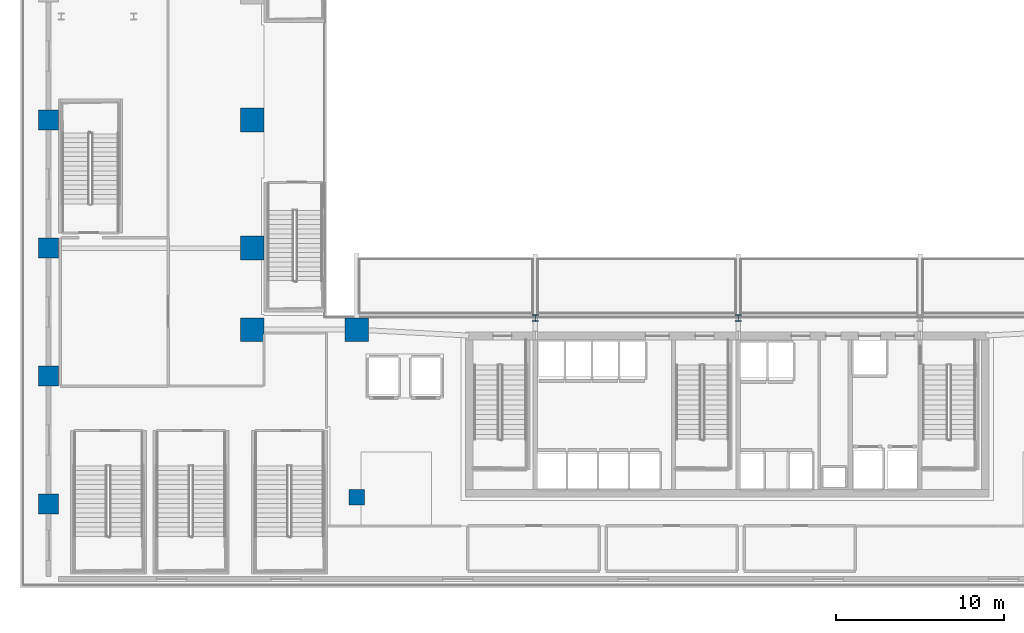
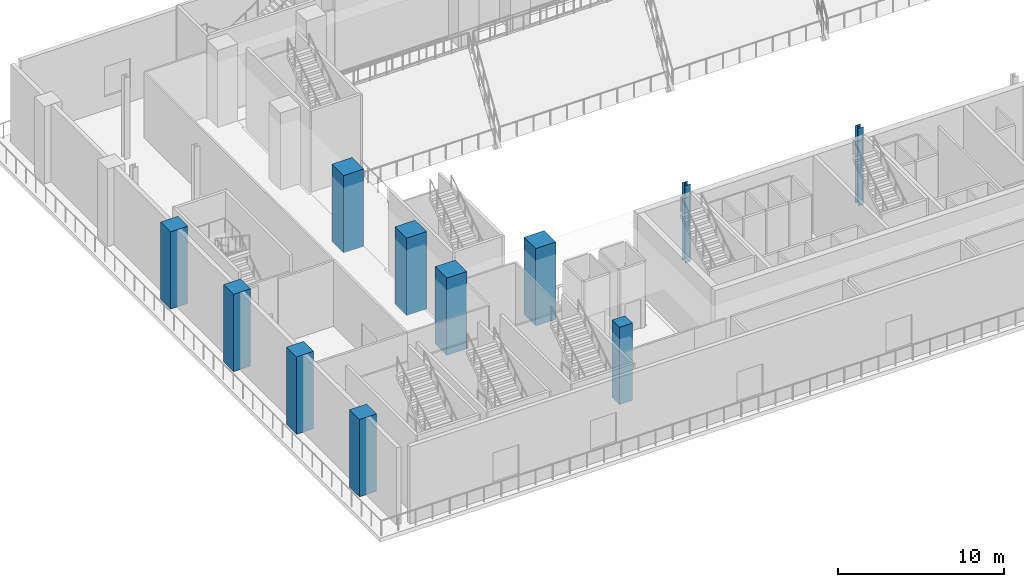
# One storey, part 1 of 30: 11 columns.
"""IFC4 building model written with IfcOpenShell, lengths in metres."""

from ifc_helpers import new_model, si_unit, direction, frame, origin, origin_2d, place, context, subcontext, project, spatial, rectangle, i_section, extrude, material, material_profile, profile_set, type_object, element, save


model = new_model("IFC4")

# Units and contexts
model_context = context("Model", 3, precision=1e-05, world=origin(), true_north=direction((0.0, 1.0)))
body_context = subcontext(model_context, "Body", "Model", "MODEL_VIEW")
ifc_project = project(units=[si_unit("LENGTHUNIT", "METRE"), si_unit("AREAUNIT", "SQUARE_METRE"), si_unit("VOLUMEUNIT", "CUBIC_METRE"), si_unit("PLANEANGLEUNIT", "RADIAN"), si_unit("MASSUNIT", "GRAM", prefix="KILO")], contexts=[model_context])

# Site, building, storey
site_placement = place(None, origin())
site = spatial("IfcSite", under=ifc_project, at=site_placement, CompositionType="ELEMENT")
building_placement = place(site_placement, origin())
building = spatial("IfcBuilding", under=site, at=building_placement, Name="Ndaravel Arena Tower", CompositionType="ELEMENT")
storey_placement = place(building_placement, frame((0.0, 0.0, 6.0)))
storey = spatial("IfcBuildingStorey", under=building, at=storey_placement, Name="L01", CompositionType="ELEMENT", Elevation=6.0)

# Columns
ifc_material_1 = material(Name="Concrete C40/50", Category="concrete")
ifc_material_profile_1 = material_profile(ifc_material_1, rectangle(XDim=0.89990234375, YDim=0.89990234375, at=origin_2d()), Name="RC 900x900")
ifc_profile_set_1 = profile_set([ifc_material_profile_1], Name="Concrete C40/50")
column_type_1 = type_object("IfcColumnType", Name="COL-BSMT-RC900", PredefinedType="COLUMN", material=ifc_profile_set_1)
column_placement = place(storey_placement, frame((20.0, 5.39990234375, 0.0), z_axis=(0.0, 0.0, 1.0), x_axis=(1.0, 0.0, 0.0)))
element("IfcColumn", 1, at=column_placement, inside=storey, type_object=column_type_1, Name="L01 South Concourse Column 01", PredefinedType="COLUMN", context=body_context, shape_type="SweptSolid", body=[
    extrude(rectangle(XDim=0.89990234375, YDim=0.89990234375, at=origin_2d()), origin(), (0.0, 0.0, 1.0), 5.699951171875),
])
ifc_material_2 = material(Name="Steel S355", Category="steel")
ifc_material_profile_2 = material_profile(ifc_material_2, i_section(OverallWidth=0.374755859375, OverallDepth=0.37451171875, WebThickness=0.0166015625, FlangeThickness=0.027099609375, FilletRadius=0.01513671875, at=origin_2d()), Name="UC 356x368x202")
ifc_profile_set_2 = profile_set([ifc_material_profile_2], Name="Steel S355")
column_type_2 = type_object("IfcColumnType", Name="COL-CRN-UC202", PredefinedType="COLUMN", material=ifc_profile_set_2)
for number, where, z_axis, x_axis, name in (
    (2, (30.60009765625, 16.050048828125, 0.0), (0.0, 0.0, 1.0), (1.0, 0.0, 0.0), "L01 South Stand Raker Column 2"),
    (3, (42.64990234375, 16.050048828125, 0.0), (0.0, 0.0, 1.0), (1.0, 0.0, 0.0), "L01 South Stand Raker Column 3"),
):
    element("IfcColumn", number, at=place(storey_placement, frame(where, z_axis=z_axis, x_axis=x_axis)), inside=storey, type_object=column_type_2, Name=name, PredefinedType="COLUMN", context=body_context, shape_type="SweptSolid", body=[
        extrude(i_section(OverallWidth=0.374755859375, OverallDepth=0.37451171875, WebThickness=0.0166015625, FlangeThickness=0.027099609375, FilletRadius=0.01513671875, at=origin_2d()), origin(), (0.0, 0.0, 1.0), 5.699951171875),
    ])
ifc_material_3 = material(Name="Concrete C60/75", Category="concrete")
ifc_material_profile_3 = material_profile(ifc_material_3, rectangle(XDim=1.199951171875, YDim=1.199951171875, at=origin_2d()), Name="RC 1200x1200")
ifc_profile_set_3 = profile_set([ifc_material_profile_3], Name="Concrete C60/75")
column_type_3 = type_object("IfcColumnType", Name="COL-MEGA-RC1200", PredefinedType="COLUMN", material=ifc_profile_set_3)
for number, where, z_axis, x_axis, name in (
    (4, (1.699951171875, 5.0, 0.0), (0.0, 0.0, 1.0), (1.0, 0.0, 0.0), "L01 Perimeter Mega Column 01"),
    (5, (1.699951171875, 12.60009765625, 0.0), (0.0, 0.0, 1.0), (1.0, 0.0, 0.0), "L01 Perimeter Mega Column 02"),
    (6, (1.699951171875, 20.199951171875, 0.0), (0.0, 0.0, 1.0), (1.0, 0.0, 0.0), "L01 Perimeter Mega Column 03"),
    (7, (1.699951171875, 27.800048828125, 0.0), (0.0, 0.0, 1.0), (1.0, 0.0, 0.0), "L01 Perimeter Mega Column 04"),
):
    element("IfcColumn", number, at=place(storey_placement, frame(where, z_axis=z_axis, x_axis=x_axis)), inside=storey, type_object=column_type_3, Name=name, PredefinedType="COLUMN", context=body_context, shape_type="SweptSolid", body=[
        extrude(rectangle(XDim=1.199951171875, YDim=1.199951171875, at=origin_2d()), origin(), (0.0, 0.0, 1.0), 5.699951171875),
    ])
ifc_material_4 = material(Name="Concrete C60/75", Category="concrete")
ifc_material_profile_4 = material_profile(ifc_material_4, rectangle(XDim=1.39990234375, YDim=1.39990234375, at=origin_2d()), Name="RC 1400x1400")
ifc_profile_set_4 = profile_set([ifc_material_profile_4], Name="Concrete C60/75")
column_type_4 = type_object("IfcColumnType", Name="COL-MEGA-RC1400", PredefinedType="COLUMN", material=ifc_profile_set_4)
for number, where, z_axis, x_axis, name in (
    (8, (13.800048828125, 15.35009765625, 0.0), (0.0, 0.0, 1.0), (1.0, 0.0, 0.0), "L01 Arena Ring Mega Column 01"),
    (9, (13.800048828125, 20.199951171875, 0.0), (0.0, 0.0, 1.0), (1.0, 0.0, 0.0), "L01 Arena Ring Mega Column 02"),
    (10, (13.800048828125, 27.800048828125, 0.0), (0.0, 0.0, 1.0), (1.0, 0.0, 0.0), "L01 Arena Ring Mega Column 03"),
    (11, (20.0, 15.35009765625, 0.0), (0.0, 0.0, 1.0), (1.0, 0.0, 0.0), "L01 Arena Ring Mega Column 11"),
):
    element("IfcColumn", number, at=place(storey_placement, frame(where, z_axis=z_axis, x_axis=x_axis)), inside=storey, type_object=column_type_4, Name=name, PredefinedType="COLUMN", context=body_context, shape_type="SweptSolid", body=[
        extrude(rectangle(XDim=1.39990234375, YDim=1.39990234375, at=origin_2d()), origin(), (0.0, 0.0, 1.0), 5.699951171875),
    ])

save(model, "model.ifc")
